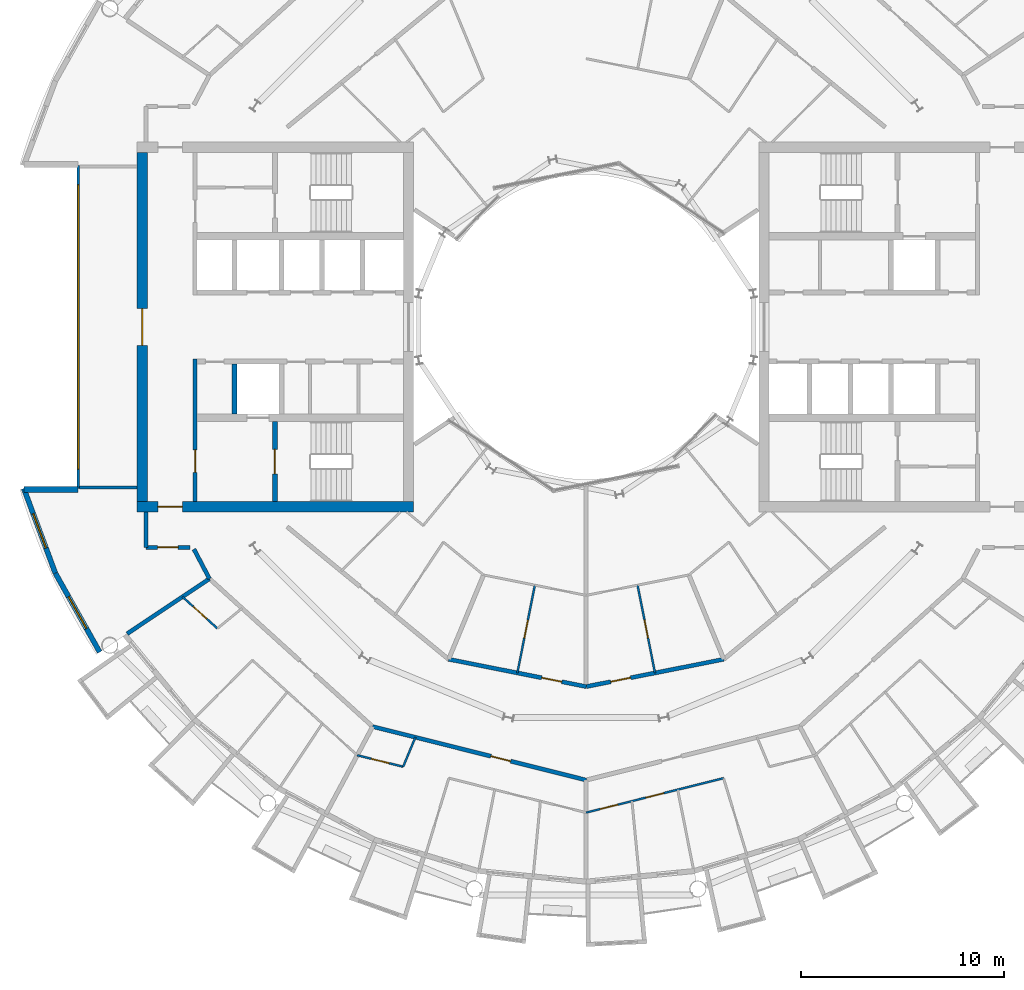
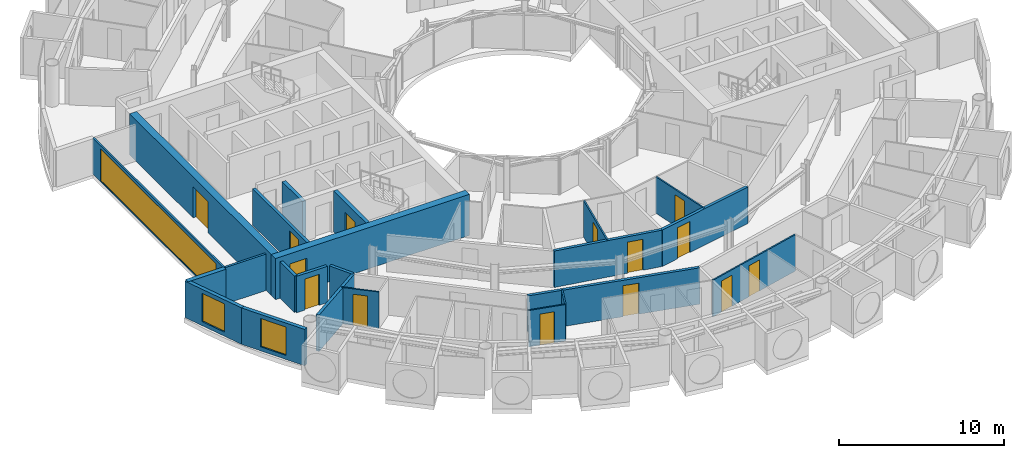
# One storey, part 15 of 26: 23 walls, 14 doors, 3 windows, 17 openings.
"""IFC4 building model written with IfcOpenShell, lengths in metres."""

from ifc_helpers import new_model, si_unit, direction, frame, frame_2d, origin, place, context, subcontext, project, spatial, rectangle, extrude, material, layer, layer_set, type_object, element, fill, save


model = new_model("IFC4")

# Units and contexts
model_context = context("Model", 3, precision=1e-05, world=origin(), true_north=direction((0.0, 1.0)))
body_context = subcontext(model_context, "Body", "Model", "MODEL_VIEW")
ifc_project = project(units=[si_unit("LENGTHUNIT", "METRE"), si_unit("AREAUNIT", "SQUARE_METRE"), si_unit("VOLUMEUNIT", "CUBIC_METRE"), si_unit("PLANEANGLEUNIT", "RADIAN"), si_unit("MASSUNIT", "GRAM", prefix="KILO")], contexts=[model_context])

# Site, building, storey
site_placement = place(None, origin())
site = spatial("IfcSite", under=ifc_project, at=site_placement, CompositionType="ELEMENT")
building_placement = place(site_placement, origin())
building = spatial("IfcBuilding", under=site, at=building_placement, Name="Maasbend Ring Residences", CompositionType="ELEMENT")
storey_placement = place(building_placement, frame((0.0, 0.0, 161.60009765625)))
storey = spatial("IfcBuildingStorey", under=building, at=storey_placement, Name="L46", CompositionType="ELEMENT", Elevation=161.60009765625)

# Wall, opening, door
ifc_material_1 = material(Name="Concrete C60/75", Category="concrete")
ifc_layer_1 = layer(ifc_material_1, 0.25)
ifc_layer_set_1 = layer_set([ifc_layer_1], Name="Concrete C60/75")
wall_type_1 = type_object("IfcWallType", Name="CORE WALL 250 C60/75", PredefinedType="SHEAR", material=ifc_layer_set_1)
wall_1_placement = place(storey_placement, frame((-15.324951171875, -4.64990234375, 0.0), z_axis=(0.0, 0.0, 1.0), x_axis=(0.0, -1.0, 0.0)))
wall_1 = element("IfcWall", 1, at=wall_1_placement, inside=storey, type_object=wall_type_1, Name="L46 core W wall STEN", PredefinedType="SHEAR", context=body_context, shape_type="SweptSolid", body=[
    extrude(rectangle(XDim=3.9501953125, YDim=0.25, at=frame_2d((1.97509765625, 0.0))), origin(), (0.0, 0.0, 1.0), 3.0498046875),
])
opening_1_placement = place(wall_1_placement, frame((1.375, 0.0, 0.0)))
opening_1 = element("IfcOpeningElement", 2, at=opening_1_placement, cuts=wall_1, Name="Opening D-W4611", PredefinedType="OPENING", context=body_context, shape_type="SweptSolid", body=[
    extrude(rectangle(XDim=1.199951171875, YDim=2.300048828125, at=frame_2d((0.60009765625, 1.14990234375))), frame((0.0, 0.135009765625, 0.0), z_axis=(0.0, -1.0, 0.0), x_axis=(1.0, 0.0, 0.0)), (0.0, 0.0, 1.0), 0.27001953125),
])
ifc_material_2 = material(Name="Steel, powder coated", Category="steel")
door_type_1 = type_object("IfcDoorType", Name="STAIR DOOR 1200 X 2300 FD60", OperationType="NOTDEFINED", PredefinedType="DOOR", material=ifc_material_2)
door_1_placement = place(opening_1_placement, origin())
door_1 = element("IfcDoor", 3, at=door_1_placement, inside=storey, type_object=door_type_1, Name="Stair door ST-W L46", OperationType="SINGLE_SWING_LEFT", OverallHeight=2.300048828125, OverallWidth=1.199951171875, PredefinedType="DOOR", context=body_context, shape_type="SweptSolid", body=[
    extrude(rectangle(XDim=1.199951171875, YDim=2.300048828125, at=frame_2d((0.60009765625, 1.14990234375))), frame((0.0, 0.02490234375, 0.0), z_axis=(0.0, -1.0, 0.0), x_axis=(1.0, 0.0, 0.0)), (0.0, 0.0, 1.0), 0.050048828125),
])
fill(opening_1, door_1)

ifc_material_3 = material(Name="Concrete C60/75", Category="concrete")
ifc_layer_2 = layer(ifc_material_3, 0.5)
ifc_layer_set_2 = layer_set([ifc_layer_2], Name="Concrete C60/75")
wall_type_2 = type_object("IfcWallType", Name="CORE WALL 500 C60/75", PredefinedType="SHEAR", material=ifc_layer_set_2)
wall_2_placement = place(storey_placement, frame((-22.10009765625, -8.85009765625, 0.0), z_axis=(0.0, 0.0, 1.0), x_axis=(1.0, 0.0, 0.0)))
wall_2 = element("IfcWall", 4, at=wall_2_placement, inside=storey, type_object=wall_type_2, Name="L46 core W wall PN", PredefinedType="SHEAR", context=body_context, shape_type="SweptSolid", body=[
    extrude(rectangle(XDim=13.60009765625, YDim=0.5, at=frame_2d((6.800048828125, 0.0))), origin(), (0.0, 0.0, 1.0), 3.0498046875),
])
opening_2_placement = place(wall_2_placement, frame((1.02490234375, 0.0, 0.0)))
opening_2 = element("IfcOpeningElement", 5, at=opening_2_placement, cuts=wall_2, Name="Opening D-W4615", PredefinedType="OPENING", context=body_context, shape_type="SweptSolid", body=[
    extrude(rectangle(XDim=1.199951171875, YDim=2.300048828125, at=frame_2d((0.60009765625, 1.14990234375))), frame((0.0, 0.260009765625, 0.0), z_axis=(0.0, -1.0, 0.0), x_axis=(1.0, 0.0, 0.0)), (0.0, 0.0, 1.0), 0.52001953125),
])
ifc_material_4 = material(Name="Steel, powder coated", Category="steel")
door_type_2 = type_object("IfcDoorType", Name="CORRIDOR DOOR 1200 X 2300 FD30S", OperationType="NOTDEFINED", PredefinedType="DOOR", material=ifc_material_4)
door_2_placement = place(opening_2_placement, origin())
door_2 = element("IfcDoor", 6, at=door_2_placement, inside=storey, type_object=door_type_2, Name="Corridor door L46", OperationType="SINGLE_SWING_RIGHT", OverallHeight=2.300048828125, OverallWidth=1.199951171875, PredefinedType="DOOR", context=body_context, shape_type="SweptSolid", body=[
    extrude(rectangle(XDim=1.199951171875, YDim=2.300048828125, at=frame_2d((0.60009765625, 1.14990234375))), frame((0.0, 0.02490234375, 0.0), z_axis=(0.0, -1.0, 0.0), x_axis=(1.0, 0.0, 0.0)), (0.0, 0.0, 1.0), 0.050048828125),
])
fill(opening_2, door_2)

wall_3_placement = place(storey_placement, frame((-21.85009765625, -8.60009765625, 0.0), z_axis=(0.0, 0.0, 1.0), x_axis=(0.0, 1.0, 0.0)))
wall_3 = element("IfcWall", 7, at=wall_3_placement, inside=storey, type_object=wall_type_2, Name="L46 core W wall POUT", PredefinedType="SHEAR", context=body_context, shape_type="SweptSolid", body=[
    extrude(rectangle(XDim=17.2001953125, YDim=0.5, at=frame_2d((8.60009765625, 0.0))), origin(), (0.0, 0.0, 1.0), 3.0498046875),
])
opening_3_placement = place(wall_3_placement, frame((7.699951171875, 0.0, 0.0)))
opening_3 = element("IfcOpeningElement", 8, at=opening_3_placement, cuts=wall_3, Name="Opening D-W4617", PredefinedType="OPENING", context=body_context, shape_type="SweptSolid", body=[
    extrude(rectangle(XDim=1.800048828125, YDim=2.300048828125, at=frame_2d((0.89990234375, 1.14990234375))), frame((0.0, 0.260009765625, 0.0), z_axis=(0.0, -1.0, 0.0), x_axis=(1.0, 0.0, 0.0)), (0.0, 0.0, 1.0), 0.52001953125),
])
ifc_material_5 = material(Name="Aluminium frame, clear glass", Category="aluminium")
door_type_3 = type_object("IfcDoorType", Name="ENTRANCE DOOR 1800 X 2300 FD60", OperationType="NOTDEFINED", PredefinedType="DOOR", material=ifc_material_5)
door_3_placement = place(opening_3_placement, origin())
door_3 = element("IfcDoor", 9, at=door_3_placement, inside=storey, type_object=door_type_3, Name="Lobby glazed door L46", OperationType="SINGLE_SWING_LEFT", OverallHeight=2.300048828125, OverallWidth=1.800048828125, PredefinedType="DOOR", context=body_context, shape_type="SweptSolid", body=[
    extrude(rectangle(XDim=1.800048828125, YDim=2.300048828125, at=frame_2d((0.89990234375, 1.14990234375))), frame((0.0, 0.02490234375, 0.0), z_axis=(0.0, -1.0, 0.0), x_axis=(1.0, 0.0, 0.0)), (0.0, 0.0, 1.0), 0.050048828125),
])
fill(opening_3, door_3)

# Wall
ifc_material_6 = material(Name="Concrete C30/37", Category="concrete")
ifc_layer_3 = layer(ifc_material_6, 0.199951171875)
ifc_layer_set_3 = layer_set([ifc_layer_3], Name="Concrete C30/37")
wall_type_3 = type_object("IfcWallType", Name="CORRIDOR WALL 200 CONCRETE", PredefinedType="PARTITIONING", material=ifc_layer_set_3)
wall_4_placement = place(storey_placement, frame((-19.306884765625, -10.93505859375, 0.0), z_axis=(0.0, 0.0, 1.0), x_axis=(0.465605550524, -0.884992356646, 0.0)))
element("IfcWall", 10, at=wall_4_placement, inside=storey, type_object=wall_type_3, Name="U-L46-w009", PredefinedType="PARTITIONING", context=body_context, shape_type="SweptSolid", body=[
    extrude(rectangle(XDim=1.642822265625, YDim=0.199951171875, at=frame_2d((0.8212890625, 0.0))), origin(), (0.0, 0.0, 1.0), 2.699951171875),
])

# Wall, opening, door
wall_5_placement = place(storey_placement, frame((-10.51806640625, -19.6650390625, 0.0), z_axis=(0.0, 0.0, 1.0), x_axis=(0.970023181991, -0.243012399685, 0.0)))
wall_5 = element("IfcWall", 11, at=wall_5_placement, inside=storey, type_object=wall_type_3, Name="U-L46-w014", PredefinedType="PARTITIONING", context=body_context, shape_type="SweptSolid", body=[
    extrude(rectangle(XDim=10.843017578125, YDim=0.199951171875, at=frame_2d((5.42138671875, 0.0))), origin(), (0.0, 0.0, 1.0), 2.699951171875),
])
opening_4_placement = place(wall_5_placement, frame((6.008056640625, 0.0, 0.0)))
opening_4 = element("IfcOpeningElement", 12, at=opening_4_placement, cuts=wall_5, Name="Opening D-4637", PredefinedType="OPENING", context=body_context, shape_type="SweptSolid", body=[
    extrude(rectangle(XDim=1.0, YDim=2.300048828125, at=frame_2d((0.5, 1.14990234375))), frame((0.0, 0.10986328125, 0.0), z_axis=(0.0, -1.0, 0.0), x_axis=(1.0, 0.0, 0.0)), (0.0, 0.0, 1.0), 0.219970703125),
])
ifc_material_7 = material(Name="Timber, fire-rated, painted", Category="wood")
door_type_4 = type_object("IfcDoorType", Name="FLAT ENTRANCE DOOR 1000 X 2300 FIRE-RATED", OperationType="NOTDEFINED", PredefinedType="DOOR", material=ifc_material_7)
door_4_placement = place(opening_4_placement, origin())
door_4 = element("IfcDoor", 13, at=door_4_placement, inside=storey, type_object=door_type_4, Name="D-4637", OperationType="SINGLE_SWING_RIGHT", OverallHeight=2.300048828125, OverallWidth=1.0, PredefinedType="DOOR", context=body_context, shape_type="SweptSolid", body=[
    extrude(rectangle(XDim=1.0, YDim=2.300048828125, at=frame_2d((0.5, 1.14990234375))), frame((0.0, 0.02490234375, 0.0), z_axis=(0.0, -1.0, 0.0), x_axis=(1.0, 0.0, 0.0)), (0.0, 0.0, 1.0), 0.050048828125),
])
fill(opening_4, door_4)

wall_6_placement = place(storey_placement, frame((-6.77294921875, -16.35302734375, 0.0), z_axis=(0.0, 0.0, 1.0), x_axis=(0.980804334721, -0.194994505033, 0.0)))
wall_6 = element("IfcWall", 14, at=wall_6_placement, inside=storey, type_object=wall_type_3, Name="U-L46-w017", PredefinedType="PARTITIONING", context=body_context, shape_type="SweptSolid", body=[
    extrude(rectangle(XDim=6.907470703125, YDim=0.199951171875, at=frame_2d((3.45361328125, 0.0))), origin(), (0.0, 0.0, 1.0), 2.699951171875),
])
opening_5_placement = place(wall_6_placement, frame((4.679931640625, 0.0, 0.0)))
opening_5 = element("IfcOpeningElement", 15, at=opening_5_placement, cuts=wall_6, Name="Opening D-4656", PredefinedType="OPENING", context=body_context, shape_type="SweptSolid", body=[
    extrude(rectangle(XDim=1.0, YDim=2.300048828125, at=frame_2d((0.5, 1.14990234375))), frame((0.0, 0.10986328125, 0.0), z_axis=(0.0, -1.0, 0.0), x_axis=(1.0, 0.0, 0.0)), (0.0, 0.0, 1.0), 0.219970703125),
])
door_5_placement = place(opening_5_placement, origin())
door_5 = element("IfcDoor", 16, at=door_5_placement, inside=storey, type_object=door_type_4, Name="D-4656", OperationType="SINGLE_SWING_RIGHT", OverallHeight=2.300048828125, OverallWidth=1.0, PredefinedType="DOOR", context=body_context, shape_type="SweptSolid", body=[
    extrude(rectangle(XDim=1.0, YDim=2.300048828125, at=frame_2d((0.5, 1.14990234375))), frame((0.0, 0.02490234375, 0.0), z_axis=(0.0, -1.0, 0.0), x_axis=(1.0, 0.0, 0.0)), (0.0, 0.0, 1.0), 0.050048828125),
])
fill(opening_5, door_5)

wall_7_placement = place(storey_placement, frame((-0.001953125, -17.699951171875, 0.0), z_axis=(0.0, 0.0, 1.0), x_axis=(0.98081508138, 0.194940442538, 0.0)))
wall_7 = element("IfcWall", 17, at=wall_7_placement, inside=storey, type_object=wall_type_3, Name="U-L46-w018", PredefinedType="PARTITIONING", context=body_context, shape_type="SweptSolid", body=[
    extrude(rectangle(XDim=6.909423828125, YDim=0.199951171875, at=frame_2d((3.45458984375, 0.0))), origin(), (0.0, 0.0, 1.0), 2.699951171875),
])
opening_6_placement = place(wall_7_placement, frame((1.22802734375, 0.0, 0.0)))
opening_6 = element("IfcOpeningElement", 18, at=opening_6_placement, cuts=wall_7, Name="Opening D-4659", PredefinedType="OPENING", context=body_context, shape_type="SweptSolid", body=[
    extrude(rectangle(XDim=1.0, YDim=2.300048828125, at=frame_2d((0.5, 1.14990234375))), frame((0.0, 0.10986328125, 0.0), z_axis=(0.0, -1.0, 0.0), x_axis=(1.0, 0.0, 0.0)), (0.0, 0.0, 1.0), 0.219970703125),
])
door_6_placement = place(opening_6_placement, origin())
door_6 = element("IfcDoor", 19, at=door_6_placement, inside=storey, type_object=door_type_4, Name="D-4659", OperationType="SINGLE_SWING_LEFT", OverallHeight=2.300048828125, OverallWidth=1.0, PredefinedType="DOOR", context=body_context, shape_type="SweptSolid", body=[
    extrude(rectangle(XDim=1.0, YDim=2.300048828125, at=frame_2d((0.5, 1.14990234375))), frame((0.0, 0.02490234375, 0.0), z_axis=(0.0, -1.0, 0.0), x_axis=(1.0, 0.0, 0.0)), (0.0, 0.0, 1.0), 0.050048828125),
])
fill(opening_6, door_6)

wall_8_placement = place(storey_placement, frame((-21.675048828125, -10.85009765625, 0.0), z_axis=(0.0, 0.0, 1.0), x_axis=(1.0, 0.0, 0.0)))
wall_8 = element("IfcWall", 20, at=wall_8_placement, inside=storey, type_object=wall_type_3, Name="U-L46-w027", PredefinedType="PARTITIONING", context=body_context, shape_type="SweptSolid", body=[
    extrude(rectangle(XDim=2.171142578125, YDim=0.199951171875, at=frame_2d((1.08544921875, 0.0))), origin(), (0.0, 0.0, 1.0), 2.699951171875),
])
opening_7_placement = place(wall_8_placement, frame((0.5849609375, 0.0, 0.0)))
opening_7 = element("IfcOpeningElement", 21, at=opening_7_placement, cuts=wall_8, Name="Opening D-4666", PredefinedType="OPENING", context=body_context, shape_type="SweptSolid", body=[
    extrude(rectangle(XDim=1.0, YDim=2.300048828125, at=frame_2d((0.5, 1.14990234375))), frame((0.0, 0.10986328125, 0.0), z_axis=(0.0, -1.0, 0.0), x_axis=(1.0, 0.0, 0.0)), (0.0, 0.0, 1.0), 0.219970703125),
])
ifc_material_8 = material(Name="Timber, painted", Category="wood")
door_type_5 = type_object("IfcDoorType", Name="ROOM DOOR 1000 X 2300", OperationType="NOTDEFINED", PredefinedType="DOOR", material=ifc_material_8)
door_7_placement = place(opening_7_placement, origin())
door_7 = element("IfcDoor", 22, at=door_7_placement, inside=storey, type_object=door_type_5, Name="D-4666", OperationType="SINGLE_SWING_LEFT", OverallHeight=2.300048828125, OverallWidth=1.0, PredefinedType="DOOR", context=body_context, shape_type="SweptSolid", body=[
    extrude(rectangle(XDim=1.0, YDim=2.300048828125, at=frame_2d((0.5, 1.14990234375))), frame((0.0, 0.02490234375, 0.0), z_axis=(0.0, -1.0, 0.0), x_axis=(1.0, 0.0, 0.0)), (0.0, 0.0, 1.0), 0.050048828125),
])
fill(opening_7, door_7)

# Wall
wall_9_placement = place(storey_placement, frame((-21.675048828125, -10.85009765625, 0.0), z_axis=(0.0, 0.0, 1.0), x_axis=(0.0, 1.0, 0.0)))
element("IfcWall", 23, at=wall_9_placement, inside=storey, type_object=wall_type_3, Name="U-L46-w108", PredefinedType="PARTITIONING", context=body_context, shape_type="SweptSolid", body=[
    extrude(rectangle(XDim=1.75, YDim=0.199951171875, at=frame_2d((0.875, 0.0))), origin(), (0.0, 0.0, 1.0), 2.699951171875),
])

# Wall, opening, window
ifc_material_9 = material(Name="Aluminium clad insulated panel", Category="aluminium")
ifc_layer_4 = layer(ifc_material_9, 0.25)
ifc_layer_set_4 = layer_set([ifc_layer_4], Name="EW-HORN")
wall_type_4 = type_object("IfcWallType", Name="EW-HORN", PredefinedType="SOLIDWALL", material=ifc_layer_set_4)
wall_10_placement = place(storey_placement, frame((-27.681884765625, -7.945068359375, 0.0), z_axis=(0.0, 0.0, 1.0), x_axis=(0.349247811493, -0.937030397675, 0.0)))
wall_10 = element("IfcWall", 24, at=wall_10_placement, inside=storey, type_object=wall_type_4, Name="Horn wall 3.1", PredefinedType="SOLIDWALL", context=body_context, shape_type="SweptSolid", body=[
    extrude(rectangle(XDim=4.4521484375, YDim=0.25, at=frame_2d((2.22607421875, 0.0))), origin(), (0.0, 0.0, 1.0), 2.699951171875),
])
opening_8_placement = place(wall_10_placement, frame((1.32666015625, 0.0, 0.300048828125)))
opening_8 = element("IfcOpeningElement", 25, at=opening_8_placement, cuts=wall_10, Name="Opening W-BX", PredefinedType="OPENING", context=body_context, shape_type="SweptSolid", body=[
    extrude(rectangle(XDim=1.800048828125, YDim=2.10009765625, at=frame_2d((0.89990234375, 1.050048828125))), frame((0.0, 0.135009765625, 0.0), z_axis=(0.0, -1.0, 0.0), x_axis=(1.0, 0.0, 0.0)), (0.0, 0.0, 1.0), 0.27001953125),
])
ifc_material_10 = material(Name="Aluminium and clear glass", Category="aluminium")
window_type_1 = type_object("IfcWindowType", Name="W-BX", PartitioningType="DOUBLE_PANEL_VERTICAL", PredefinedType="WINDOW", material=ifc_material_10)
window_1_placement = place(opening_8_placement, origin())
window_1 = element("IfcWindow", 26, at=window_1_placement, inside=storey, type_object=window_type_1, Name="Horn window 3.1", OverallHeight=2.10009765625, OverallWidth=1.800048828125, PartitioningType="SINGLE_PANEL", PredefinedType="WINDOW", context=body_context, shape_type="SweptSolid", body=[
    extrude(rectangle(XDim=1.800048828125, YDim=2.10009765625, at=frame_2d((0.89990234375, 1.050048828125))), frame((0.0, 0.030029296875, 0.0), z_axis=(0.0, -1.0, 0.0), x_axis=(1.0, 0.0, 0.0)), (0.0, 0.0, 1.0), 0.06005859375),
])
fill(opening_8, window_1)

wall_11_placement = place(storey_placement, frame((-26.126953125, -12.116943359375, 0.0), z_axis=(0.0, 0.0, 1.0), x_axis=(0.489696356642, -0.871893042919, 0.0)))
wall_11 = element("IfcWall", 27, at=wall_11_placement, inside=storey, type_object=wall_type_4, Name="Horn wall 3.2", PredefinedType="SOLIDWALL", context=body_context, shape_type="SweptSolid", body=[
    extrude(rectangle(XDim=4.45361328125, YDim=0.25, at=frame_2d((2.226806640625, 0.0))), origin(), (0.0, 0.0, 1.0), 2.699951171875),
])
opening_9_placement = place(wall_11_placement, frame((1.32666015625, 0.0, 0.300048828125)))
opening_9 = element("IfcOpeningElement", 28, at=opening_9_placement, cuts=wall_11, Name="Opening W-BX", PredefinedType="OPENING", context=body_context, shape_type="SweptSolid", body=[
    extrude(rectangle(XDim=1.800048828125, YDim=2.10009765625, at=frame_2d((0.89990234375, 1.050048828125))), frame((0.0, 0.135009765625, 0.0), z_axis=(0.0, -1.0, 0.0), x_axis=(1.0, 0.0, 0.0)), (0.0, 0.0, 1.0), 0.27001953125),
])
window_2_placement = place(opening_9_placement, origin())
window_2 = element("IfcWindow", 29, at=window_2_placement, inside=storey, type_object=window_type_1, Name="Horn window 3.2", OverallHeight=2.10009765625, OverallWidth=1.800048828125, PartitioningType="SINGLE_PANEL", PredefinedType="WINDOW", context=body_context, shape_type="SweptSolid", body=[
    extrude(rectangle(XDim=1.800048828125, YDim=2.10009765625, at=frame_2d((0.89990234375, 1.050048828125))), frame((0.0, 0.030029296875, 0.0), z_axis=(0.0, -1.0, 0.0), x_axis=(1.0, 0.0, 0.0)), (0.0, 0.0, 1.0), 0.06005859375),
])
fill(opening_9, window_2)

# Wall
ifc_material_11 = material(Name="Aluminium clad insulated panel", Category="aluminium")
ifc_layer_5 = layer(ifc_material_11, 0.300048828125)
ifc_layer_set_5 = layer_set([ifc_layer_5], Name="EW-RET")
wall_type_5 = type_object("IfcWallType", Name="EW-RET", PredefinedType="SOLIDWALL", material=ifc_layer_set_5)
wall_12_placement = place(storey_placement, frame((-25.0, -8.0, 0.0), z_axis=(0.0, 0.0, 1.0), x_axis=(-1.0, 0.0, 0.0)))
element("IfcWall", 30, at=wall_12_placement, inside=storey, type_object=wall_type_5, Name="Notch return wall west south", PredefinedType="SOLIDWALL", context=body_context, shape_type="SweptSolid", body=[
    extrude(rectangle(XDim=2.6669921875, YDim=0.300048828125, at=frame_2d((1.33349609375, 0.0))), origin(), (0.0, 0.0, 1.0), 2.699951171875),
])

# Wall, opening, window
ifc_material_12 = material(Name="Aluminium frame and clear glass", Category="aluminium")
ifc_layer_6 = layer(ifc_material_12, 0.1201171875)
ifc_layer_set_6 = layer_set([ifc_layer_6], Name="GLAZED SCREEN WALL 120 EI 60")
wall_type_6 = type_object("IfcWallType", Name="GLAZED SCREEN WALL 120 EI 60", PredefinedType="PARTITIONING", material=ifc_layer_set_6)
wall_13_placement = place(storey_placement, frame((-25.0, 7.949951171875, 0.0), z_axis=(0.0, 0.0, 1.0), x_axis=(0.0, -1.0, 0.0)))
wall_13 = element("IfcWall", 31, at=wall_13_placement, inside=storey, type_object=wall_type_6, Name="L46 core W wall FACE", PredefinedType="PARTITIONING", context=body_context, shape_type="SweptSolid", body=[
    extrude(rectangle(XDim=15.89990234375, YDim=0.1201171875, at=frame_2d((7.949951171875, 0.0))), origin(), (0.0, 0.0, 1.0), 2.699951171875),
])
opening_10_placement = place(wall_13_placement, frame((0.949951171875, 0.0, 0.10009765625)))
opening_10 = element("IfcOpeningElement", 32, at=opening_10_placement, cuts=wall_13, Name="Opening W-W4602", PredefinedType="OPENING", context=body_context, shape_type="SweptSolid", body=[
    extrude(rectangle(XDim=14.0, YDim=2.35009765625, at=frame_2d((7.0, 1.175048828125))), frame((0.0, 0.070068359375, 0.0), z_axis=(0.0, -1.0, 0.0), x_axis=(1.0, 0.0, 0.0)), (0.0, 0.0, 1.0), 0.14013671875),
])
ifc_material_13 = material(Name="Aluminium frame and clear glass", Category="aluminium")
window_type_2 = type_object("IfcWindowType", Name="FIXED WINDOW 14000 X 2350", PartitioningType="SINGLE_PANEL", PredefinedType="WINDOW", material=ifc_material_13)
window_3_placement = place(opening_10_placement, origin())
window_3 = element("IfcWindow", 33, at=window_3_placement, inside=storey, type_object=window_type_2, Name="Lobby window L46", OverallHeight=2.35009765625, OverallWidth=14.0, PartitioningType="SINGLE_PANEL", PredefinedType="WINDOW", context=body_context, shape_type="SweptSolid", body=[
    extrude(rectangle(XDim=14.0, YDim=2.35009765625, at=frame_2d((7.0, 1.175048828125))), frame((0.0, 0.030029296875, 0.0), z_axis=(0.0, -1.0, 0.0), x_axis=(1.0, 0.0, 0.0)), (0.0, 0.0, 1.0), 0.06005859375),
])
fill(opening_10, window_3)

# Wall, opening, door
ifc_material_14 = material(Name="Gypsum board on steel studs", Category="steel")
ifc_layer_7 = layer(ifc_material_14, 0.10009765625)
ifc_layer_set_7 = layer_set([ifc_layer_7], Name="PARTITION 100 GYPSUM")
wall_type_7 = type_object("IfcWallType", Name="PARTITION 100 GYPSUM", PredefinedType="PARTITIONING", material=ifc_layer_set_7)
wall_14_placement = place(storey_placement, frame((-19.8720703125, -13.278076171875, 0.0), z_axis=(0.0, 0.0, 1.0), x_axis=(0.740990220108, -0.671515817911, 0.0)))
wall_14 = element("IfcWall", 34, at=wall_14_placement, inside=storey, type_object=wall_type_7, Name="U-L46-w001", PredefinedType="PARTITIONING", context=body_context, shape_type="SweptSolid", body=[
    extrude(rectangle(XDim=2.32275390625, YDim=0.10009765625, at=frame_2d((1.161376953125, 0.0))), origin(), (0.0, 0.0, 1.0), 2.699951171875),
])
opening_11_placement = place(wall_14_placement, frame((0.7109375, 0.0, 0.0)))
opening_11 = element("IfcOpeningElement", 35, at=opening_11_placement, cuts=wall_14, Name="Opening D-4633", PredefinedType="OPENING", context=body_context, shape_type="SweptSolid", body=[
    extrude(rectangle(XDim=0.89990234375, YDim=2.300048828125, at=frame_2d((0.449951171875, 1.14990234375))), frame((0.0, 0.06005859375, 0.0), z_axis=(0.0, -1.0, 0.0), x_axis=(1.0, 0.0, 0.0)), (0.0, 0.0, 1.0), 0.1201171875),
])
ifc_material_15 = material(Name="Timber, painted", Category="wood")
door_type_6 = type_object("IfcDoorType", Name="INTERNAL DOOR 900 X 2300", OperationType="NOTDEFINED", PredefinedType="DOOR", material=ifc_material_15)
door_8_placement = place(opening_11_placement, origin())
door_8 = element("IfcDoor", 36, at=door_8_placement, inside=storey, type_object=door_type_6, Name="D-4633", OperationType="SINGLE_SWING_RIGHT", OverallHeight=2.300048828125, OverallWidth=0.89990234375, PredefinedType="DOOR", context=body_context, shape_type="SweptSolid", body=[
    extrude(rectangle(XDim=0.89990234375, YDim=2.300048828125, at=frame_2d((0.449951171875, 1.14990234375))), frame((0.0, 0.02490234375, 0.0), z_axis=(0.0, -1.0, 0.0), x_axis=(1.0, 0.0, 0.0)), (0.0, 0.0, 1.0), 0.050048828125),
])
fill(opening_11, door_8)

wall_15_placement = place(storey_placement, frame((-11.26806640625, -21.077880859375, 0.0), z_axis=(0.0, 0.0, 1.0), x_axis=(0.970018653366, -0.243030475708, 0.0)))
wall_15 = element("IfcWall", 37, at=wall_15_placement, inside=storey, type_object=wall_type_7, Name="U-L46-w003", PredefinedType="PARTITIONING", context=body_context, shape_type="SweptSolid", body=[
    extrude(rectangle(XDim=2.321533203125, YDim=0.10009765625, at=frame_2d((1.16064453125, 0.0))), origin(), (0.0, 0.0, 1.0), 2.699951171875),
])
opening_12_placement = place(wall_15_placement, frame((0.712890625, 0.0, 0.0)))
opening_12 = element("IfcOpeningElement", 38, at=opening_12_placement, cuts=wall_15, Name="Opening D-4638", PredefinedType="OPENING", context=body_context, shape_type="SweptSolid", body=[
    extrude(rectangle(XDim=0.89990234375, YDim=2.300048828125, at=frame_2d((0.449951171875, 1.14990234375))), frame((0.0, 0.06005859375, 0.0), z_axis=(0.0, -1.0, 0.0), x_axis=(1.0, 0.0, 0.0)), (0.0, 0.0, 1.0), 0.1201171875),
])
door_9_placement = place(opening_12_placement, origin())
door_9 = element("IfcDoor", 39, at=door_9_placement, inside=storey, type_object=door_type_6, Name="D-4638", OperationType="SINGLE_SWING_RIGHT", OverallHeight=2.300048828125, OverallWidth=0.89990234375, PredefinedType="DOOR", context=body_context, shape_type="SweptSolid", body=[
    extrude(rectangle(XDim=0.89990234375, YDim=2.300048828125, at=frame_2d((0.449951171875, 1.14990234375))), frame((0.0, 0.02490234375, 0.0), z_axis=(0.0, -1.0, 0.0), x_axis=(1.0, 0.0, 0.0)), (0.0, 0.0, 1.0), 0.050048828125),
])
fill(opening_12, door_9)

# Wall, openings, doors
wall_16_placement = place(storey_placement, frame((0.0, -23.89990234375, 0.0), z_axis=(0.0, 0.0, 1.0), x_axis=(0.97002908491, 0.242988836015, 0.0)))
wall_16 = element("IfcWall", 40, at=wall_16_placement, inside=storey, type_object=wall_type_7, Name="U-L46-w005", PredefinedType="PARTITIONING", context=body_context, shape_type="SweptSolid", body=[
    extrude(rectangle(XDim=6.970947265625, YDim=0.10009765625, at=frame_2d((3.4853515625, 0.0))), origin(), (0.0, 0.0, 1.0), 2.699951171875),
])
opening_13_placement = place(wall_16_placement, frame((3.031982421875, 0.0, 0.0)))
opening_13 = element("IfcOpeningElement", 41, at=opening_13_placement, cuts=wall_16, Name="Opening D-4645", PredefinedType="OPENING", context=body_context, shape_type="SweptSolid", body=[
    extrude(rectangle(XDim=0.89990234375, YDim=2.300048828125, at=frame_2d((0.449951171875, 1.14990234375))), frame((0.0, 0.06005859375, 0.0), z_axis=(0.0, -1.0, 0.0), x_axis=(1.0, 0.0, 0.0)), (0.0, 0.0, 1.0), 0.1201171875),
])
opening_14_placement = place(wall_16_placement, frame((0.7119140625, 0.0, 0.0)))
opening_14 = element("IfcOpeningElement", 42, at=opening_14_placement, cuts=wall_16, Name="Opening D-4646", PredefinedType="OPENING", context=body_context, shape_type="SweptSolid", body=[
    extrude(rectangle(XDim=0.89990234375, YDim=2.300048828125, at=frame_2d((0.449951171875, 1.14990234375))), frame((0.0, 0.06005859375, 0.0), z_axis=(0.0, -1.0, 0.0), x_axis=(1.0, 0.0, 0.0)), (0.0, 0.0, 1.0), 0.1201171875),
])
door_10_placement = place(opening_13_placement, origin())
door_10 = element("IfcDoor", 43, at=door_10_placement, inside=storey, type_object=door_type_6, Name="D-4645", OperationType="SINGLE_SWING_LEFT", OverallHeight=2.300048828125, OverallWidth=0.89990234375, PredefinedType="DOOR", context=body_context, shape_type="SweptSolid", body=[
    extrude(rectangle(XDim=0.89990234375, YDim=2.300048828125, at=frame_2d((0.449951171875, 1.14990234375))), frame((0.0, 0.02490234375, 0.0), z_axis=(0.0, -1.0, 0.0), x_axis=(1.0, 0.0, 0.0)), (0.0, 0.0, 1.0), 0.050048828125),
])
fill(opening_13, door_10)
door_11_placement = place(opening_14_placement, origin())
door_11 = element("IfcDoor", 44, at=door_11_placement, inside=storey, type_object=door_type_6, Name="D-4646", OperationType="SINGLE_SWING_LEFT", OverallHeight=2.300048828125, OverallWidth=0.89990234375, PredefinedType="DOOR", context=body_context, shape_type="SweptSolid", body=[
    extrude(rectangle(XDim=0.89990234375, YDim=2.300048828125, at=frame_2d((0.449951171875, 1.14990234375))), frame((0.0, 0.02490234375, 0.0), z_axis=(0.0, -1.0, 0.0), x_axis=(1.0, 0.0, 0.0)), (0.0, 0.0, 1.0), 0.050048828125),
])
fill(opening_14, door_11)

# Wall
wall_17_placement = place(storey_placement, frame((-9.010009765625, -21.64306640625, 0.0), z_axis=(0.0, 0.0, 1.0), x_axis=(0.384228756538, 0.923237923099, 0.0)))
element("IfcWall", 45, at=wall_17_placement, inside=storey, type_object=wall_type_7, Name="U-L46-w048", PredefinedType="PARTITIONING", context=body_context, shape_type="SweptSolid", body=[
    extrude(rectangle(XDim=1.5693359375, YDim=0.10009765625, at=frame_2d((0.78466796875, 0.0))), origin(), (0.0, 0.0, 1.0), 2.699951171875),
])

# Wall, opening, door
wall_18_placement = place(storey_placement, frame((-3.386962890625, -17.02587890625, 0.0), z_axis=(0.0, 0.0, 1.0), x_axis=(0.1952206631, 0.980759344946, 0.0)))
wall_18 = element("IfcWall", 46, at=wall_18_placement, inside=storey, type_object=wall_type_7, Name="U-L46-w056", PredefinedType="PARTITIONING", context=body_context, shape_type="SweptSolid", body=[
    extrude(rectangle(XDim=4.404541015625, YDim=0.10009765625, at=frame_2d((2.2021484375, 0.0))), origin(), (0.0, 0.0, 1.0), 2.699951171875),
])
opening_15_placement = place(wall_18_placement, frame((1.751953125, 0.0, 0.0)))
opening_15 = element("IfcOpeningElement", 47, at=opening_15_placement, cuts=wall_18, Name="Opening D-4657", PredefinedType="OPENING", context=body_context, shape_type="SweptSolid", body=[
    extrude(rectangle(XDim=0.89990234375, YDim=2.300048828125, at=frame_2d((0.449951171875, 1.14990234375))), frame((0.0, 0.06005859375, 0.0), z_axis=(0.0, -1.0, 0.0), x_axis=(1.0, 0.0, 0.0)), (0.0, 0.0, 1.0), 0.1201171875),
])
door_12_placement = place(opening_15_placement, origin())
door_12 = element("IfcDoor", 48, at=door_12_placement, inside=storey, type_object=door_type_6, Name="D-4657", OperationType="SINGLE_SWING_LEFT", OverallHeight=2.300048828125, OverallWidth=0.89990234375, PredefinedType="DOOR", context=body_context, shape_type="SweptSolid", body=[
    extrude(rectangle(XDim=0.89990234375, YDim=2.300048828125, at=frame_2d((0.449951171875, 1.14990234375))), frame((0.0, 0.02490234375, 0.0), z_axis=(0.0, -1.0, 0.0), x_axis=(1.0, 0.0, 0.0)), (0.0, 0.0, 1.0), 0.050048828125),
])
fill(opening_15, door_12)

wall_19_placement = place(storey_placement, frame((2.527099609375, -12.7060546875, 0.0), z_axis=(0.0, 0.0, 1.0), x_axis=(0.1952206631, -0.980759344946, 0.0)))
wall_19 = element("IfcWall", 49, at=wall_19_placement, inside=storey, type_object=wall_type_7, Name="U-L46-w064", PredefinedType="PARTITIONING", context=body_context, shape_type="SweptSolid", body=[
    extrude(rectangle(XDim=4.404541015625, YDim=0.10009765625, at=frame_2d((2.2021484375, 0.0))), origin(), (0.0, 0.0, 1.0), 2.699951171875),
])
opening_16_placement = place(wall_19_placement, frame((1.751953125, 0.0, 0.0)))
opening_16 = element("IfcOpeningElement", 50, at=opening_16_placement, cuts=wall_19, Name="Opening D-4660", PredefinedType="OPENING", context=body_context, shape_type="SweptSolid", body=[
    extrude(rectangle(XDim=0.89990234375, YDim=2.300048828125, at=frame_2d((0.449951171875, 1.14990234375))), frame((0.0, 0.06005859375, 0.0), z_axis=(0.0, -1.0, 0.0), x_axis=(1.0, 0.0, 0.0)), (0.0, 0.0, 1.0), 0.1201171875),
])
door_13_placement = place(opening_16_placement, origin())
door_13 = element("IfcDoor", 51, at=door_13_placement, inside=storey, type_object=door_type_6, Name="D-4660", OperationType="SINGLE_SWING_RIGHT", OverallHeight=2.300048828125, OverallWidth=0.89990234375, PredefinedType="DOOR", context=body_context, shape_type="SweptSolid", body=[
    extrude(rectangle(XDim=0.89990234375, YDim=2.300048828125, at=frame_2d((0.449951171875, 1.14990234375))), frame((0.0, 0.02490234375, 0.0), z_axis=(0.0, -1.0, 0.0), x_axis=(1.0, 0.0, 0.0)), (0.0, 0.0, 1.0), 0.050048828125),
])
fill(opening_16, door_13)

# Walls
ifc_material_16 = material(Name="Gypsum board on steel studs", Category="steel")
ifc_layer_8 = layer(ifc_material_16, 0.14990234375)
ifc_layer_set_8 = layer_set([ifc_layer_8], Name="PARTITION 150 EI 60")
wall_type_8 = type_object("IfcWallType", Name="PARTITION 150 EI 60", PredefinedType="PARTITIONING", material=ifc_layer_set_8)
wall_20_placement = place(storey_placement, frame((-22.10009765625, -7.89990234375, 0.0), z_axis=(0.0, 0.0, 1.0), x_axis=(-1.0, 0.0, 0.0)))
element("IfcWall", 52, at=wall_20_placement, inside=storey, type_object=wall_type_8, Name="L46 core W wall CITN", PredefinedType="PARTITIONING", context=body_context, shape_type="SweptSolid", body=[
    extrude(rectangle(XDim=2.83984375, YDim=0.14990234375, at=frame_2d((1.419921875, 0.0))), origin(), (0.0, 0.0, 1.0), 2.699951171875),
])
ifc_material_17 = material(Name="Concrete C30/37", Category="concrete")
ifc_layer_9 = layer(ifc_material_17, 0.199951171875)
ifc_layer_set_9 = layer_set([ifc_layer_9], Name="Concrete C30/37")
wall_type_9 = type_object("IfcWallType", Name="PARTY WALL 200 CONCRETE", PredefinedType="PARTITIONING", material=ifc_layer_set_9)
wall_21_placement = place(storey_placement, frame((-22.594970703125, -15.097900390625, 0.0), z_axis=(0.0, 0.0, 1.0), x_axis=(0.831387096605, 0.55569370664, 0.0)))
element("IfcWall", 53, at=wall_21_placement, inside=storey, type_object=wall_type_9, Name="U-L46-w032", PredefinedType="PARTITIONING", context=body_context, shape_type="SweptSolid", body=[
    extrude(rectangle(XDim=4.875, YDim=0.199951171875, at=frame_2d((2.4375, 0.0))), origin(), (0.0, 0.0, 1.0), 2.699951171875),
])

# Wall, opening, door
ifc_material_18 = material(Name="Concrete C30/37", Category="concrete")
ifc_layer_10 = layer(ifc_material_18, 0.199951171875)
ifc_layer_set_10 = layer_set([ifc_layer_10], Name="Concrete C30/37")
wall_type_10 = type_object("IfcWallType", Name="SHAFT WALL 200 EI 120", PredefinedType="SOLIDWALL", material=ifc_layer_set_10)
wall_22_placement = place(storey_placement, frame((-19.25, -1.574951171875, 0.0), z_axis=(0.0, 0.0, 1.0), x_axis=(0.0, -1.0, 0.0)))
wall_22 = element("IfcWall", 54, at=wall_22_placement, inside=storey, type_object=wall_type_10, Name="L46 core W wall ENDN", PredefinedType="SOLIDWALL", context=body_context, shape_type="SweptSolid", body=[
    extrude(rectangle(XDim=7.025146484375, YDim=0.199951171875, at=frame_2d((3.5126953125, 0.0))), origin(), (0.0, 0.0, 1.0), 2.699951171875),
])
opening_17_placement = place(wall_22_placement, frame((4.47509765625, 0.0, 0.0)))
opening_17 = element("IfcOpeningElement", 55, at=opening_17_placement, cuts=wall_22, Name="Opening D-W4613", PredefinedType="OPENING", context=body_context, shape_type="SweptSolid", body=[
    extrude(rectangle(XDim=1.10009765625, YDim=2.300048828125, at=frame_2d((0.550048828125, 1.14990234375))), frame((0.0, 0.10986328125, 0.0), z_axis=(0.0, -1.0, 0.0), x_axis=(1.0, 0.0, 0.0)), (0.0, 0.0, 1.0), 0.219970703125),
])
ifc_material_19 = material(Name="Steel, powder coated", Category="steel")
door_type_7 = type_object("IfcDoorType", Name="LOBBY DOOR 1100 X 2300 FD60", OperationType="NOTDEFINED", PredefinedType="DOOR", material=ifc_material_19)
door_14_placement = place(opening_17_placement, origin())
door_14 = element("IfcDoor", 56, at=door_14_placement, inside=storey, type_object=door_type_7, Name="Lobby door L46", OperationType="SINGLE_SWING_LEFT", OverallHeight=2.300048828125, OverallWidth=1.10009765625, PredefinedType="DOOR", context=body_context, shape_type="SweptSolid", body=[
    extrude(rectangle(XDim=1.10009765625, YDim=2.300048828125, at=frame_2d((0.550048828125, 1.14990234375))), frame((0.0, 0.02490234375, 0.0), z_axis=(0.0, -1.0, 0.0), x_axis=(1.0, 0.0, 0.0)), (0.0, 0.0, 1.0), 0.050048828125),
])
fill(opening_17, door_14)

# Wall
ifc_material_20 = material(Name="Concrete C30/37", Category="concrete")
ifc_layer_11 = layer(ifc_material_20, 0.25)
ifc_layer_set_11 = layer_set([ifc_layer_11], Name="Concrete C30/37")
wall_type_11 = type_object("IfcWallType", Name="SHAFT WALL 250 EI 120", PredefinedType="SOLIDWALL", material=ifc_layer_set_11)
wall_23_placement = place(storey_placement, frame((-17.300048828125, -1.824951171875, 0.0), z_axis=(0.0, 0.0, 1.0), x_axis=(0.0, -1.0, 0.0)))
element("IfcWall", 57, at=wall_23_placement, inside=storey, type_object=wall_type_11, Name="L46 core W wall D173N", PredefinedType="SOLIDWALL", context=body_context, shape_type="SweptSolid", body=[
    extrude(rectangle(XDim=2.449951171875, YDim=0.25, at=frame_2d((1.22509765625, 0.0))), origin(), (0.0, 0.0, 1.0), 2.699951171875),
])

save(model, "model.ifc")
